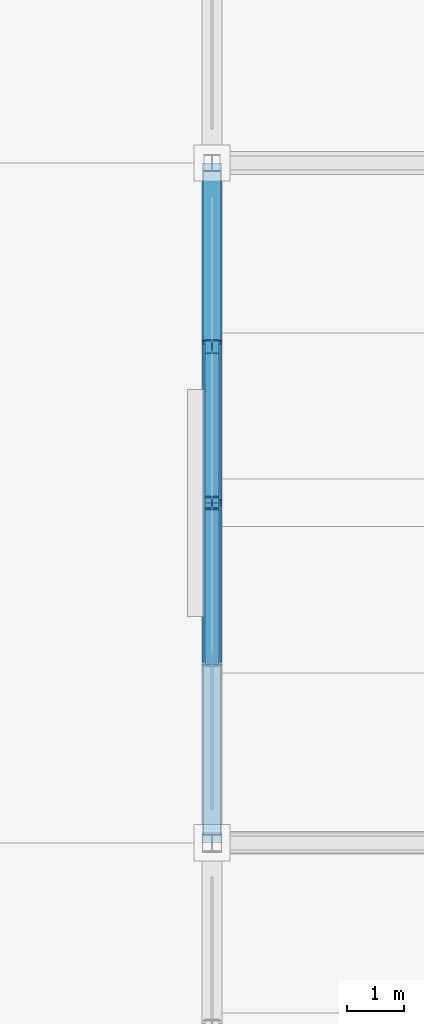
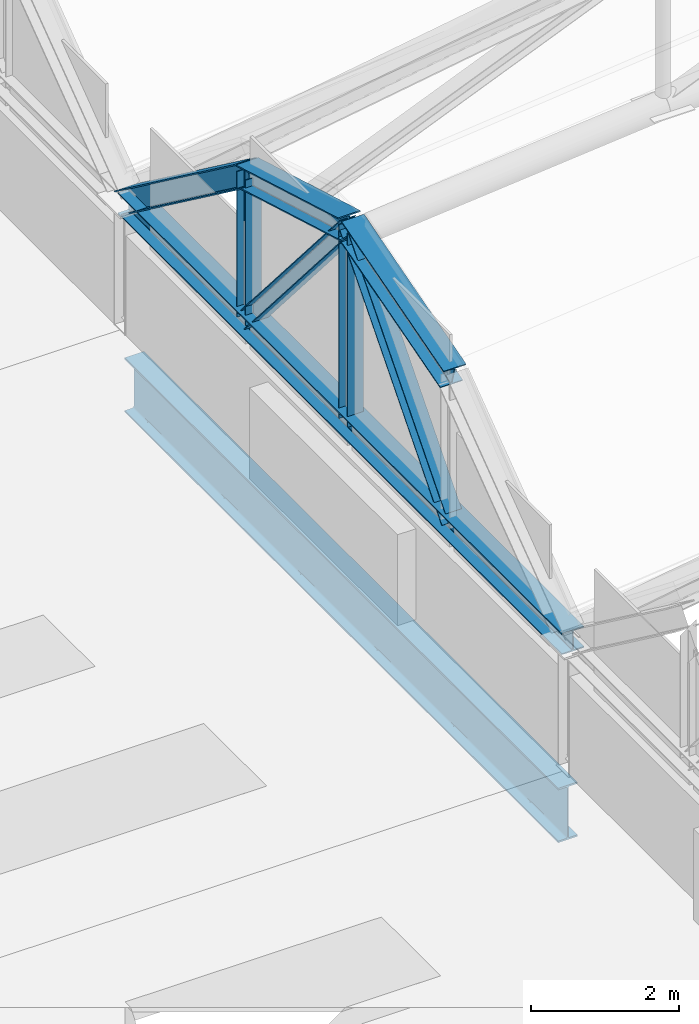
# One storey, part 31 of 117: 8 members, 1 beam.
"""IFC4 building model written with IfcOpenShell, lengths in metres."""

from ifc_helpers import new_model, si_unit, direction, frame, origin, origin_2d, place, context, subcontext, project, spatial, i_section, extrude, material, material_profile, profile_set, type_object, element, save


model = new_model("IFC4")

# Units and contexts
model_context = context("Model", 3, precision=1e-05, world=origin(), true_north=direction((0.0, 1.0)))
body_context = subcontext(model_context, "Body", "Model", "MODEL_VIEW")
ifc_project = project(units=[si_unit("LENGTHUNIT", "METRE"), si_unit("AREAUNIT", "SQUARE_METRE"), si_unit("VOLUMEUNIT", "CUBIC_METRE"), si_unit("PLANEANGLEUNIT", "RADIAN"), si_unit("MASSUNIT", "GRAM", prefix="KILO")], contexts=[model_context])

# Site, building, storey
site_placement = place(None, origin())
site = spatial("IfcSite", under=ifc_project, at=site_placement, CompositionType="ELEMENT")
building_placement = place(site_placement, origin())
building = spatial("IfcBuilding", under=site, at=building_placement, Name="Kazenohara Klinker Stadium", CompositionType="ELEMENT")
storey_placement = place(building_placement, frame((0.0, 0.0, 31.199951171875)))
storey = spatial("IfcBuildingStorey", under=building, at=storey_placement, Name="RF", CompositionType="ELEMENT", Elevation=31.199951171875)

# Members
ifc_material = material(Name="Steel S355", Category="steel")
ifc_material_profile_1 = material_profile(ifc_material, i_section(OverallWidth=0.35009765625, OverallDepth=0.35009765625, WebThickness=0.011962890625, FlangeThickness=0.01904296875, FilletRadius=0.012939453125, at=origin_2d()), Name="H-350x350x12x19")
ifc_profile_set_1 = profile_set([ifc_material_profile_1], Name="Steel S355")
member_type_1 = type_object("IfcMemberType", Name="MEM-CHD02", PredefinedType="CHORD", material=ifc_profile_set_1)
member_1_placement = place(storey_placement, frame((24.0, 96.0, 2.10009765625), z_axis=(0.0, 1.0, 0.0), x_axis=(-1.0, 0.0, 0.0)))
element("IfcMember", 1, at=member_1_placement, inside=storey, type_object=member_type_1, Name="Barrel arch tie chord TC02 W-05-N0", PredefinedType="CHORD", context=body_context, shape_type="SweptSolid", body=[
    extrude(i_section(OverallWidth=0.35009765625, OverallDepth=0.35009765625, WebThickness=0.011962890625, FlangeThickness=0.01904296875, FilletRadius=0.012939453125, at=origin_2d()), origin(), (0.0, 0.0, 1.0), 12.0),
])
for number, where, z_axis, x_axis, name in (
    (2, (24.0, 99.239990234375, 4.5), (0.0, 0.960462085918, 0.27841081429), (-1.0, 0.0, 0.0), "Barrel arch top rib TC02 W-05-N0-S2"),
    (3, (24.0, 102.0, 5.300048828125), (0.0, 0.960462085918, -0.27841081429), (-1.0, 0.0, 0.0), "Barrel arch top rib TC02 W-05-N0-S3"),
):
    element("IfcMember", number, at=place(storey_placement, frame(where, z_axis=z_axis, x_axis=x_axis)), inside=storey, type_object=member_type_1, Name=name, PredefinedType="CHORD", context=body_context, shape_type="SweptSolid", body=[
        extrude(i_section(OverallWidth=0.35009765625, OverallDepth=0.35009765625, WebThickness=0.011962890625, FlangeThickness=0.01904296875, FilletRadius=0.012939453125, at=origin_2d()), origin(), (0.0, 0.0, 1.0), 2.87353515625),
    ])
member_2_placement = place(storey_placement, frame((24.0, 104.760009765625, 4.5), z_axis=(0.0, 0.803567919639, -0.595213069856), x_axis=(-1.0, 0.0, 0.0)))
element("IfcMember", 4, at=member_2_placement, inside=storey, type_object=member_type_1, Name="Barrel arch top rib TC02 W-05-N0-S4", PredefinedType="CHORD", context=body_context, shape_type="SweptSolid", body=[
    extrude(i_section(OverallWidth=0.35009765625, OverallDepth=0.35009765625, WebThickness=0.011962890625, FlangeThickness=0.01904296875, FilletRadius=0.012939453125, at=origin_2d()), origin(), (0.0, 0.0, 1.0), 4.031982421875),
])
ifc_material_profile_2 = material_profile(ifc_material, i_section(OverallWidth=0.25, OverallDepth=0.25, WebThickness=0.009033203125, FlangeThickness=0.013916015625, FilletRadius=0.012939453125, at=origin_2d()), Name="H-250x250x9x14")
ifc_profile_set_2 = profile_set([ifc_material_profile_2], Name="Steel S355")
member_type_2 = type_object("IfcMemberType", Name="MEM-STR02", PredefinedType="STRUT", material=ifc_profile_set_2)
member_3_placement = place(storey_placement, frame((24.0, 102.0, 2.10009765625), z_axis=(0.0, 0.0, 1.0), x_axis=(1.0, 0.0, 0.0)))
element("IfcMember", 5, at=member_3_placement, inside=storey, type_object=member_type_2, Name="Barrel arch web post TS02 W-05-N0-P2", PredefinedType="STRUT", context=body_context, shape_type="SweptSolid", body=[
    extrude(i_section(OverallWidth=0.25, OverallDepth=0.25, WebThickness=0.009033203125, FlangeThickness=0.013916015625, FilletRadius=0.012939453125, at=origin_2d()), origin(), (0.0, 0.0, 1.0), 3.199951171875),
])
member_4_placement = place(storey_placement, frame((24.0, 104.760009765625, 2.10009765625), z_axis=(0.0, 0.0, 1.0), x_axis=(1.0, 0.0, 0.0)))
element("IfcMember", 6, at=member_4_placement, inside=storey, type_object=member_type_2, Name="Barrel arch web post TS02 W-05-N0-P3", PredefinedType="STRUT", context=body_context, shape_type="SweptSolid", body=[
    extrude(i_section(OverallWidth=0.25, OverallDepth=0.25, WebThickness=0.009033203125, FlangeThickness=0.013916015625, FilletRadius=0.012939453125, at=origin_2d()), origin(), (0.0, 0.0, 1.0), 2.39990234375),
])
for number, where, z_axis, x_axis, name in (
    (7, (24.0, 99.239990234375, 2.10009765625), (0.0, 0.653133887971, 0.757242447558), (-1.0, 0.0, 0.0), "Barrel arch web diagonal TS02 W-05-N0-D1"),
    (8, (24.0, 104.760009765625, 2.10009765625), (0.0, -0.653133887971, 0.757242447558), (1.0, 0.0, 0.0), "Barrel arch web diagonal TS02 W-05-N0-D2"),
):
    element("IfcMember", number, at=place(storey_placement, frame(where, z_axis=z_axis, x_axis=x_axis)), inside=storey, type_object=member_type_2, Name=name, PredefinedType="STRUT", context=body_context, shape_type="SweptSolid", body=[
        extrude(i_section(OverallWidth=0.25, OverallDepth=0.25, WebThickness=0.009033203125, FlangeThickness=0.013916015625, FilletRadius=0.012939453125, at=origin_2d()), origin(), (0.0, 0.0, 1.0), 4.225830078125),
    ])

# Beam
ifc_material_profile_3 = material_profile(ifc_material, i_section(OverallWidth=0.300048828125, OverallDepth=0.89990234375, WebThickness=0.01611328125, FlangeThickness=0.028076171875, FilletRadius=0.02197265625, at=origin_2d()), Name="H-900x300x16x28")
ifc_profile_set_3 = profile_set([ifc_material_profile_3], Name="Steel S355")
beam_type = type_object("IfcBeamType", Name="RING-RB01", PredefinedType="USERDEFINED", material=ifc_profile_set_3)
beam_placement = place(storey_placement, frame((24.0, 96.139892578125, -0.820068359375), z_axis=(0.0, 1.0, 0.0), x_axis=(-1.0, 0.0, 0.0)))
element("IfcBeam", 9, at=beam_placement, inside=storey, type_object=beam_type, Name="Roof ring beam RB01 W-OUT J-K", ObjectType="RING BEAM", PredefinedType="USERDEFINED", context=body_context, shape_type="SweptSolid", body=[
    extrude(i_section(OverallWidth=0.300048828125, OverallDepth=0.89990234375, WebThickness=0.01611328125, FlangeThickness=0.028076171875, FilletRadius=0.02197265625, at=origin_2d()), origin(), (0.0, 0.0, 1.0), 11.72021484375),
])

save(model, "model.ifc")
